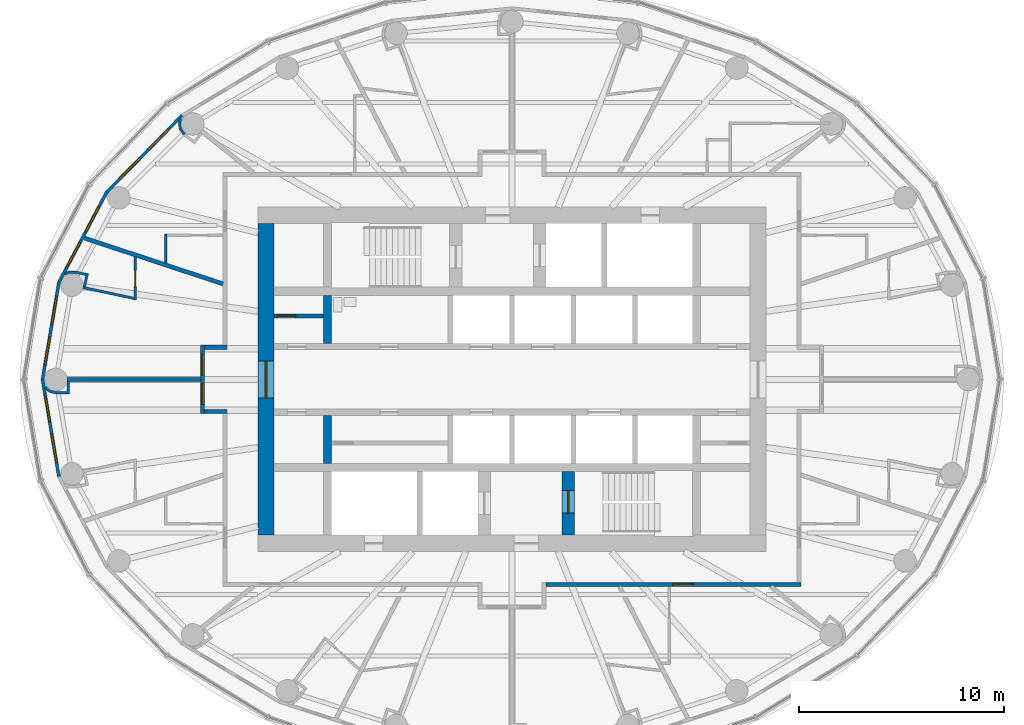
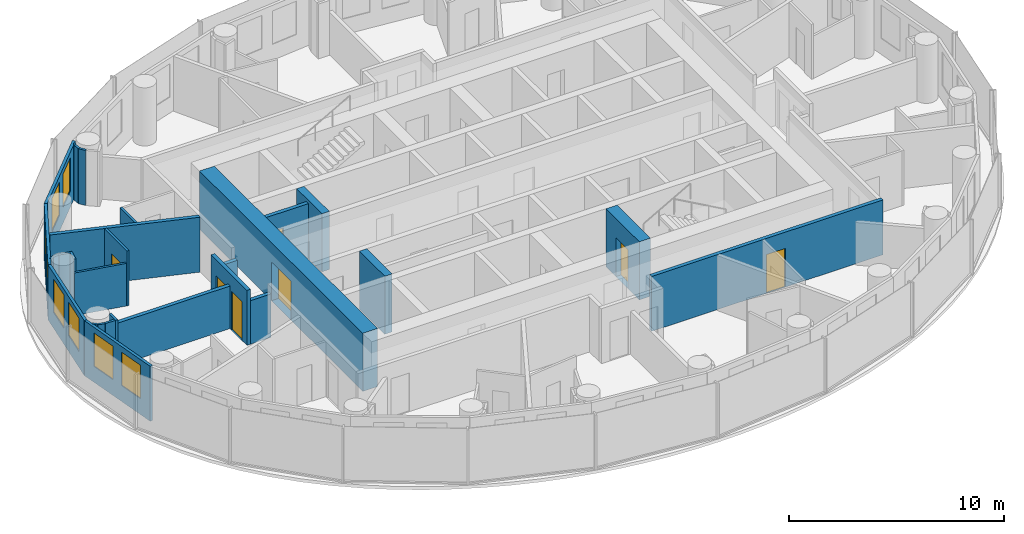
# One storey, part 8 of 16: 29 walls, 8 windows, 7 doors, 15 openings.
"""IFC4 building model written with IfcOpenShell, lengths in metres."""

from ifc_helpers import new_model, si_unit, direction, frame, frame_2d, origin, place, context, subcontext, project, spatial, rectangle, extrude, material, layer, layer_set, type_object, element, fill, save


model = new_model("IFC4")

# Units and contexts
model_context = context("Model", 3, precision=1e-05, world=origin(), true_north=direction((0.0, 1.0)))
body_context = subcontext(model_context, "Body", "Model", "MODEL_VIEW")
ifc_project = project(units=[si_unit("LENGTHUNIT", "METRE"), si_unit("AREAUNIT", "SQUARE_METRE"), si_unit("VOLUMEUNIT", "CUBIC_METRE"), si_unit("PLANEANGLEUNIT", "RADIAN"), si_unit("MASSUNIT", "GRAM", prefix="KILO")], contexts=[model_context])

# Site, building, storey
site_placement = place(None, origin())
site = spatial("IfcSite", under=ifc_project, at=site_placement, CompositionType="ELEMENT")
building_placement = place(site_placement, origin())
building = spatial("IfcBuilding", under=site, at=building_placement, Name="Hankou Lantern Tower", CompositionType="ELEMENT")
storey_placement = place(building_placement, frame((0.0, 0.0, 153.300048828125)))
storey = spatial("IfcBuildingStorey", under=building, at=storey_placement, Name="L40", CompositionType="ELEMENT", Elevation=153.300048828125)

# Wall, opening, door
ifc_material_1 = material(Name="Concrete C60", Category="concrete")
ifc_layer_1 = layer(ifc_material_1, 0.800048828125)
ifc_layer_set_1 = layer_set([ifc_layer_1], Name="Concrete C60")
wall_type_1 = type_object("IfcWallType", Name="CW2 CORE WALL 800", PredefinedType="SHEAR", material=ifc_layer_set_1)
wall_1_placement = place(storey_placement, frame((-12.0, 7.60009765625, 0.0), z_axis=(0.0, 0.0, 1.0), x_axis=(0.0, -1.0, 0.0)))
wall_1 = element("IfcWall", 1, at=wall_1_placement, inside=storey, type_object=wall_type_1, Name="Core wall west L40", PredefinedType="SHEAR", context=body_context, shape_type="SweptSolid", body=[
    extrude(rectangle(XDim=15.2001953125, YDim=0.800048828125, at=frame_2d((7.60009765625, 0.0))), origin(), (0.0, 0.0, 1.0), 3.300048828125),
])
opening_1_placement = place(wall_1_placement, frame((6.699951171875, 0.0, 0.0)))
opening_1 = element("IfcOpeningElement", 2, at=opening_1_placement, cuts=wall_1, Name="Opening D6", PredefinedType="OPENING", context=body_context, shape_type="SweptSolid", body=[
    extrude(rectangle(XDim=1.800048828125, YDim=2.199951171875, at=frame_2d((0.89990234375, 1.10009765625))), frame((0.0, 0.409912109375, 0.0), z_axis=(0.0, -1.0, 0.0), x_axis=(1.0, 0.0, 0.0)), (0.0, 0.0, 1.0), 0.820068359375),
])
ifc_material_2 = material(Name="Steel door leaf", Category="steel")
door_type_1 = type_object("IfcDoorType", Name="D6 LIFT LOBBY DOOR 1800X2200", OperationType="DOUBLE_DOOR_DOUBLE_SWING", PredefinedType="DOOR", material=ifc_material_2)
door_1_placement = place(opening_1_placement, origin())
door_1 = element("IfcDoor", 3, at=door_1_placement, inside=storey, type_object=door_type_1, Name="Lift lobby west door", OperationType="DOUBLE_DOOR_DOUBLE_SWING", OverallHeight=2.199951171875, OverallWidth=1.800048828125, PredefinedType="DOOR", context=body_context, shape_type="SweptSolid", body=[
    extrude(rectangle(XDim=1.800048828125, YDim=2.199951171875, at=frame_2d((0.89990234375, 1.10009765625))), frame((0.0, 0.02490234375, 0.0), z_axis=(0.0, -1.0, 0.0), x_axis=(1.0, 0.0, 0.0)), (0.0, 0.0, 1.0), 0.050048828125),
])
fill(opening_1, door_1)

# Walls
ifc_material_3 = material(Name="Concrete C60", Category="concrete")
ifc_layer_2 = layer(ifc_material_3, 0.39990234375)
ifc_layer_set_2 = layer_set([ifc_layer_2], Name="Concrete C60")
wall_type_2 = type_object("IfcWallType", Name="CW4 CORE CROSS WALL 400", PredefinedType="SHEAR", material=ifc_layer_set_2)
for number, where, z_axis, x_axis, name in (
    (4, (-9.0, 1.75, 0.0), (0.0, 0.0, 1.0), (0.0, 1.0, 0.0), "Core strip wall L40"),
    (5, (-9.0, -4.10009765625, 0.0), (0.0, 0.0, 1.0), (0.0, 1.0, 0.0), "Core strip wall L40"),
):
    element("IfcWall", number, at=place(storey_placement, frame(where, z_axis=z_axis, x_axis=x_axis)), inside=storey, type_object=wall_type_2, Name=name, PredefinedType="SHEAR", context=body_context, shape_type="SweptSolid", body=[
        extrude(rectangle(XDim=2.35009765625, YDim=0.39990234375, at=frame_2d((1.175048828125, 0.0))), origin(), (0.0, 0.0, 1.0), 3.300048828125),
    ])

# Wall, opening, door
ifc_material_4 = material(Name="Concrete C60", Category="concrete")
ifc_layer_3 = layer(ifc_material_4, 0.60009765625)
ifc_layer_set_3 = layer_set([ifc_layer_3], Name="Concrete C60")
wall_type_3 = type_object("IfcWallType", Name="CW6 STAIR AND SHAFT WALL 600", PredefinedType="SHEAR", material=ifc_layer_set_3)
wall_2_placement = place(storey_placement, frame((2.75, -7.60009765625, 0.0), z_axis=(0.0, 0.0, 1.0), x_axis=(0.0, 1.0, 0.0)))
wall_2 = element("IfcWall", 6, at=wall_2_placement, inside=storey, type_object=wall_type_3, Name="Stair wall L40", PredefinedType="SHEAR", context=body_context, shape_type="SweptSolid", body=[
    extrude(rectangle(XDim=3.10009765625, YDim=0.60009765625, at=frame_2d((1.550048828125, 0.0))), origin(), (0.0, 0.0, 1.0), 3.300048828125),
])
opening_2_placement = place(wall_2_placement, frame((1.074951171875, 0.0, 0.0)))
opening_2 = element("IfcOpeningElement", 7, at=opening_2_placement, cuts=wall_2, Name="Opening D4", PredefinedType="OPENING", context=body_context, shape_type="SweptSolid", body=[
    extrude(rectangle(XDim=1.10009765625, YDim=2.199951171875, at=frame_2d((0.550048828125, 1.10009765625))), frame((0.0, 0.31005859375, 0.0), z_axis=(0.0, -1.0, 0.0), x_axis=(1.0, 0.0, 0.0)), (0.0, 0.0, 1.0), 0.6201171875),
])
ifc_material_5 = material(Name="Steel door leaf", Category="steel")
door_type_2 = type_object("IfcDoorType", Name="D4 STAIR DOOR 1100X2200", OperationType="SINGLE_SWING_LEFT", PredefinedType="DOOR", material=ifc_material_5)
door_2_placement = place(opening_2_placement, origin())
door_2 = element("IfcDoor", 8, at=door_2_placement, inside=storey, type_object=door_type_2, Name="Stair B door", OperationType="SINGLE_SWING_RIGHT", OverallHeight=2.199951171875, OverallWidth=1.10009765625, PredefinedType="DOOR", context=body_context, shape_type="SweptSolid", body=[
    extrude(rectangle(XDim=1.10009765625, YDim=2.199951171875, at=frame_2d((0.550048828125, 1.10009765625))), frame((0.0, 0.02490234375, 0.0), z_axis=(0.0, -1.0, 0.0), x_axis=(1.0, 0.0, 0.0)), (0.0, 0.0, 1.0), 0.050048828125),
])
fill(opening_2, door_2)

# Wall, openings, windows
ifc_material_6 = material(Name="Aluminium spandrel panel on steel studs", Category="steel")
ifc_layer_4 = layer(ifc_material_6, 0.14990234375)
ifc_layer_set_4 = layer_set([ifc_layer_4], Name="Aluminium spandrel panel on steel studs")
wall_type_4 = type_object("IfcWallType", Name="EW1 INNER SKIN WALL 150", PredefinedType="ELEMENTEDWALL", material=ifc_layer_set_4)
wall_3_placement = place(storey_placement, frame((-16.0947265625, 12.875732421875, 0.0), z_axis=(0.0, 0.0, 1.0), x_axis=(-0.700727467776, -0.71342905457, 0.0)))
wall_3 = element("IfcWall", 9, at=wall_3_placement, inside=storey, type_object=wall_type_4, Name="Inner skin R10-R11 L40", PredefinedType="ELEMENTEDWALL", context=body_context, shape_type="SweptSolid", body=[
    extrude(rectangle(XDim=5.247314453125, YDim=0.14990234375, at=frame_2d((2.62353515625, 0.0))), origin(), (0.0, 0.0, 1.0), 3.119873046875),
])
opening_3_placement = place(wall_3_placement, frame((0.923583984375, 0.0, 0.89990234375)))
opening_3 = element("IfcOpeningElement", 10, at=opening_3_placement, cuts=wall_3, Name="Opening W3", PredefinedType="OPENING", context=body_context, shape_type="SweptSolid", body=[
    extrude(rectangle(XDim=1.39990234375, YDim=1.89990234375, at=frame_2d((0.699951171875, 0.949951171875))), frame((0.0, 0.0849609375, 0.0), z_axis=(0.0, -1.0, 0.0), x_axis=(1.0, 0.0, 0.0)), (0.0, 0.0, 1.0), 0.169921875),
])
opening_4_placement = place(wall_3_placement, frame((2.923583984375, 0.0, 0.89990234375)))
opening_4 = element("IfcOpeningElement", 11, at=opening_4_placement, cuts=wall_3, Name="Opening W3", PredefinedType="OPENING", context=body_context, shape_type="SweptSolid", body=[
    extrude(rectangle(XDim=1.39990234375, YDim=1.89990234375, at=frame_2d((0.699951171875, 0.949951171875))), frame((0.0, 0.0849609375, 0.0), z_axis=(0.0, -1.0, 0.0), x_axis=(1.0, 0.0, 0.0)), (0.0, 0.0, 1.0), 0.169921875),
])
ifc_material_7 = material(Name="Aluminium framed double glazed window", Category="aluminium")
window_type = type_object("IfcWindowType", Name="W3 GUEST ROOM WINDOW 1400X1900", PartitioningType="DOUBLE_PANEL_VERTICAL", PredefinedType="WINDOW", material=ifc_material_7)
window_1_placement = place(opening_3_placement, origin())
window_1 = element("IfcWindow", 12, at=window_1_placement, inside=storey, type_object=window_type, Name="Window R10.1 L40", OverallHeight=1.89990234375, OverallWidth=1.39990234375, PartitioningType="SINGLE_PANEL", PredefinedType="WINDOW", context=body_context, shape_type="SweptSolid", body=[
    extrude(rectangle(XDim=1.39990234375, YDim=1.89990234375, at=frame_2d((0.699951171875, 0.949951171875))), frame((0.0, 0.030029296875, 0.0), z_axis=(0.0, -1.0, 0.0), x_axis=(1.0, 0.0, 0.0)), (0.0, 0.0, 1.0), 0.06005859375),
])
fill(opening_3, window_1)
window_2_placement = place(opening_4_placement, origin())
window_2 = element("IfcWindow", 13, at=window_2_placement, inside=storey, type_object=window_type, Name="Window R10.2 L40", OverallHeight=1.89990234375, OverallWidth=1.39990234375, PartitioningType="SINGLE_PANEL", PredefinedType="WINDOW", context=body_context, shape_type="SweptSolid", body=[
    extrude(rectangle(XDim=1.39990234375, YDim=1.89990234375, at=frame_2d((0.699951171875, 0.949951171875))), frame((0.0, 0.030029296875, 0.0), z_axis=(0.0, -1.0, 0.0), x_axis=(1.0, 0.0, 0.0)), (0.0, 0.0, 1.0), 0.06005859375),
])
fill(opening_4, window_2)

wall_4_placement = place(storey_placement, frame((-19.771728515625, 9.132080078125, 0.0), z_axis=(0.0, 0.0, 1.0), x_axis=(-0.468428906714, -0.883501193748, 0.0)))
wall_4 = element("IfcWall", 14, at=wall_4_placement, inside=storey, type_object=wall_type_4, Name="Inner skin R11-R12 L40", PredefinedType="ELEMENTEDWALL", context=body_context, shape_type="SweptSolid", body=[
    extrude(rectangle(XDim=4.9736328125, YDim=0.14990234375, at=frame_2d((2.48681640625, 0.0))), origin(), (0.0, 0.0, 1.0), 3.119873046875),
])
opening_5_placement = place(wall_4_placement, frame((0.786865234375, 0.0, 0.89990234375)))
opening_5 = element("IfcOpeningElement", 15, at=opening_5_placement, cuts=wall_4, Name="Opening W3", PredefinedType="OPENING", context=body_context, shape_type="SweptSolid", body=[
    extrude(rectangle(XDim=1.39990234375, YDim=1.89990234375, at=frame_2d((0.699951171875, 0.949951171875))), frame((0.0, 0.0849609375, 0.0), z_axis=(0.0, -1.0, 0.0), x_axis=(1.0, 0.0, 0.0)), (0.0, 0.0, 1.0), 0.169921875),
])
opening_6_placement = place(wall_4_placement, frame((2.786865234375, 0.0, 0.89990234375)))
opening_6 = element("IfcOpeningElement", 16, at=opening_6_placement, cuts=wall_4, Name="Opening W3", PredefinedType="OPENING", context=body_context, shape_type="SweptSolid", body=[
    extrude(rectangle(XDim=1.39990234375, YDim=1.89990234375, at=frame_2d((0.699951171875, 0.949951171875))), frame((0.0, 0.0849609375, 0.0), z_axis=(0.0, -1.0, 0.0), x_axis=(1.0, 0.0, 0.0)), (0.0, 0.0, 1.0), 0.169921875),
])
window_3_placement = place(opening_5_placement, origin())
window_3 = element("IfcWindow", 17, at=window_3_placement, inside=storey, type_object=window_type, Name="Window R11.1 L40", OverallHeight=1.89990234375, OverallWidth=1.39990234375, PartitioningType="SINGLE_PANEL", PredefinedType="WINDOW", context=body_context, shape_type="SweptSolid", body=[
    extrude(rectangle(XDim=1.39990234375, YDim=1.89990234375, at=frame_2d((0.699951171875, 0.949951171875))), frame((0.0, 0.030029296875, 0.0), z_axis=(0.0, -1.0, 0.0), x_axis=(1.0, 0.0, 0.0)), (0.0, 0.0, 1.0), 0.06005859375),
])
fill(opening_5, window_3)
window_4_placement = place(opening_6_placement, origin())
window_4 = element("IfcWindow", 18, at=window_4_placement, inside=storey, type_object=window_type, Name="Window R11.2 L40", OverallHeight=1.89990234375, OverallWidth=1.39990234375, PartitioningType="SINGLE_PANEL", PredefinedType="WINDOW", context=body_context, shape_type="SweptSolid", body=[
    extrude(rectangle(XDim=1.39990234375, YDim=1.89990234375, at=frame_2d((0.699951171875, 0.949951171875))), frame((0.0, 0.030029296875, 0.0), z_axis=(0.0, -1.0, 0.0), x_axis=(1.0, 0.0, 0.0)), (0.0, 0.0, 1.0), 0.06005859375),
])
fill(opening_6, window_4)

wall_5_placement = place(storey_placement, frame((-22.1015625, 4.73779296875, 0.0), z_axis=(0.0, 0.0, 1.0), x_axis=(-0.166162111254, -0.986098449843, 0.0)))
wall_5 = element("IfcWall", 19, at=wall_5_placement, inside=storey, type_object=wall_type_4, Name="Inner skin R12-R13 L40", PredefinedType="ELEMENTEDWALL", context=body_context, shape_type="SweptSolid", body=[
    extrude(rectangle(XDim=4.8046875, YDim=0.14990234375, at=frame_2d((2.40234375, 0.0))), origin(), (0.0, 0.0, 1.0), 3.119873046875),
])
opening_7_placement = place(wall_5_placement, frame((0.7021484375, 0.0, 0.89990234375)))
opening_7 = element("IfcOpeningElement", 20, at=opening_7_placement, cuts=wall_5, Name="Opening W3", PredefinedType="OPENING", context=body_context, shape_type="SweptSolid", body=[
    extrude(rectangle(XDim=1.39990234375, YDim=1.89990234375, at=frame_2d((0.699951171875, 0.949951171875))), frame((0.0, 0.0849609375, 0.0), z_axis=(0.0, -1.0, 0.0), x_axis=(1.0, 0.0, 0.0)), (0.0, 0.0, 1.0), 0.169921875),
])
opening_8_placement = place(wall_5_placement, frame((2.7021484375, 0.0, 0.89990234375)))
opening_8 = element("IfcOpeningElement", 21, at=opening_8_placement, cuts=wall_5, Name="Opening W3", PredefinedType="OPENING", context=body_context, shape_type="SweptSolid", body=[
    extrude(rectangle(XDim=1.39990234375, YDim=1.89990234375, at=frame_2d((0.699951171875, 0.949951171875))), frame((0.0, 0.0849609375, 0.0), z_axis=(0.0, -1.0, 0.0), x_axis=(1.0, 0.0, 0.0)), (0.0, 0.0, 1.0), 0.169921875),
])
window_5_placement = place(opening_7_placement, origin())
window_5 = element("IfcWindow", 22, at=window_5_placement, inside=storey, type_object=window_type, Name="Window R12.1 L40", OverallHeight=1.89990234375, OverallWidth=1.39990234375, PartitioningType="SINGLE_PANEL", PredefinedType="WINDOW", context=body_context, shape_type="SweptSolid", body=[
    extrude(rectangle(XDim=1.39990234375, YDim=1.89990234375, at=frame_2d((0.699951171875, 0.949951171875))), frame((0.0, 0.030029296875, 0.0), z_axis=(0.0, -1.0, 0.0), x_axis=(1.0, 0.0, 0.0)), (0.0, 0.0, 1.0), 0.06005859375),
])
fill(opening_7, window_5)
window_6_placement = place(opening_8_placement, origin())
window_6 = element("IfcWindow", 23, at=window_6_placement, inside=storey, type_object=window_type, Name="Window R12.2 L40", OverallHeight=1.89990234375, OverallWidth=1.39990234375, PartitioningType="SINGLE_PANEL", PredefinedType="WINDOW", context=body_context, shape_type="SweptSolid", body=[
    extrude(rectangle(XDim=1.39990234375, YDim=1.89990234375, at=frame_2d((0.699951171875, 0.949951171875))), frame((0.0, 0.030029296875, 0.0), z_axis=(0.0, -1.0, 0.0), x_axis=(1.0, 0.0, 0.0)), (0.0, 0.0, 1.0), 0.06005859375),
])
fill(opening_8, window_6)

wall_6_placement = place(storey_placement, frame((-22.89990234375, 0.0, 0.0), z_axis=(0.0, 0.0, 1.0), x_axis=(0.166162111254, -0.986098449843, 0.0)))
wall_6 = element("IfcWall", 24, at=wall_6_placement, inside=storey, type_object=wall_type_4, Name="Inner skin R13-R14 L40", PredefinedType="ELEMENTEDWALL", context=body_context, shape_type="SweptSolid", body=[
    extrude(rectangle(XDim=4.8046875, YDim=0.14990234375, at=frame_2d((2.40234375, 0.0))), origin(), (0.0, 0.0, 1.0), 3.119873046875),
])
opening_9_placement = place(wall_6_placement, frame((0.7021484375, 0.0, 0.89990234375)))
opening_9 = element("IfcOpeningElement", 25, at=opening_9_placement, cuts=wall_6, Name="Opening W3", PredefinedType="OPENING", context=body_context, shape_type="SweptSolid", body=[
    extrude(rectangle(XDim=1.39990234375, YDim=1.89990234375, at=frame_2d((0.699951171875, 0.949951171875))), frame((0.0, 0.0849609375, 0.0), z_axis=(0.0, -1.0, 0.0), x_axis=(1.0, 0.0, 0.0)), (0.0, 0.0, 1.0), 0.169921875),
])
opening_10_placement = place(wall_6_placement, frame((2.7021484375, 0.0, 0.89990234375)))
opening_10 = element("IfcOpeningElement", 26, at=opening_10_placement, cuts=wall_6, Name="Opening W3", PredefinedType="OPENING", context=body_context, shape_type="SweptSolid", body=[
    extrude(rectangle(XDim=1.39990234375, YDim=1.89990234375, at=frame_2d((0.699951171875, 0.949951171875))), frame((0.0, 0.0849609375, 0.0), z_axis=(0.0, -1.0, 0.0), x_axis=(1.0, 0.0, 0.0)), (0.0, 0.0, 1.0), 0.169921875),
])
window_7_placement = place(opening_9_placement, origin())
window_7 = element("IfcWindow", 27, at=window_7_placement, inside=storey, type_object=window_type, Name="Window R13.1 L40", OverallHeight=1.89990234375, OverallWidth=1.39990234375, PartitioningType="SINGLE_PANEL", PredefinedType="WINDOW", context=body_context, shape_type="SweptSolid", body=[
    extrude(rectangle(XDim=1.39990234375, YDim=1.89990234375, at=frame_2d((0.699951171875, 0.949951171875))), frame((0.0, 0.030029296875, 0.0), z_axis=(0.0, -1.0, 0.0), x_axis=(1.0, 0.0, 0.0)), (0.0, 0.0, 1.0), 0.06005859375),
])
fill(opening_9, window_7)
window_8_placement = place(opening_10_placement, origin())
window_8 = element("IfcWindow", 28, at=window_8_placement, inside=storey, type_object=window_type, Name="Window R13.2 L40", OverallHeight=1.89990234375, OverallWidth=1.39990234375, PartitioningType="SINGLE_PANEL", PredefinedType="WINDOW", context=body_context, shape_type="SweptSolid", body=[
    extrude(rectangle(XDim=1.39990234375, YDim=1.89990234375, at=frame_2d((0.699951171875, 0.949951171875))), frame((0.0, 0.030029296875, 0.0), z_axis=(0.0, -1.0, 0.0), x_axis=(1.0, 0.0, 0.0)), (0.0, 0.0, 1.0), 0.06005859375),
])
fill(opening_10, window_8)

# Walls
ifc_material_8 = material(Name="Masonry lightweight concrete block", Category="masonry")
ifc_layer_5 = layer(ifc_material_8, 0.199951171875)
ifc_layer_set_5 = layer_set([ifc_layer_5], Name="Masonry lightweight concrete block")
wall_type_5 = type_object("IfcWallType", Name="IW1 GUEST ROOM PARTY WALL 200", PredefinedType="PARTITIONING", material=ifc_layer_set_5)
wall_7_placement = place(storey_placement, frame((-14.10009765625, 4.661376953125, 0.0), z_axis=(0.0, 0.0, 1.0), x_axis=(-0.949453216399, 0.313908569285, 0.0)))
element("IfcWall", 29, at=wall_7_placement, inside=storey, type_object=wall_type_5, Name="Party wall R11-R12", PredefinedType="PARTITIONING", context=body_context, shape_type="SweptSolid", body=[
    extrude(rectangle(XDim=7.108642578125, YDim=0.199951171875, at=frame_2d((3.55419921875, 0.0))), origin(), (0.0, 0.0, 1.0), 3.119873046875),
])
wall_8_placement = place(storey_placement, frame((-15.199951171875, 0.0, 0.0), z_axis=(0.0, 0.0, 1.0), x_axis=(-1.0, 0.0, 0.0)))
element("IfcWall", 30, at=wall_8_placement, inside=storey, type_object=wall_type_5, Name="Party wall R13", PredefinedType="PARTITIONING", context=body_context, shape_type="SweptSolid", body=[
    extrude(rectangle(XDim=6.5, YDim=0.199951171875, at=frame_2d((3.25, 0.0))), origin(), (0.0, 0.0, 1.0), 2.419921875),
])

# Wall, openings, doors
ifc_material_9 = material(Name="Masonry lightweight concrete block", Category="masonry")
ifc_layer_6 = layer(ifc_material_9, 0.199951171875)
ifc_layer_set_6 = layer_set([ifc_layer_6], Name="Masonry lightweight concrete block")
wall_type_6 = type_object("IfcWallType", Name="IW2 CORRIDOR WALL 200", PredefinedType="PARTITIONING", material=ifc_layer_set_6)
wall_9_placement = place(storey_placement, frame((-15.10009765625, 1.669921875, 0.0), z_axis=(0.0, 0.0, 1.0), x_axis=(0.0, -1.0, 0.0)))
wall_9 = element("IfcWall", 31, at=wall_9_placement, inside=storey, type_object=wall_type_6, Name="Corridor alcove wall 4007-4008 back", PredefinedType="PARTITIONING", context=body_context, shape_type="SweptSolid", body=[
    extrude(rectangle(XDim=3.33984375, YDim=0.199951171875, at=frame_2d((1.669921875, 0.0))), origin(), (0.0, 0.0, 1.0), 3.119873046875),
])
opening_11_placement = place(wall_9_placement, frame((0.449951171875, 0.0, 0.0)))
opening_11 = element("IfcOpeningElement", 32, at=opening_11_placement, cuts=wall_9, Name="Opening D1", PredefinedType="OPENING", context=body_context, shape_type="SweptSolid", body=[
    extrude(rectangle(XDim=1.0, YDim=2.199951171875, at=frame_2d((0.5, 1.10009765625))), frame((0.0, 0.10986328125, 0.0), z_axis=(0.0, -1.0, 0.0), x_axis=(1.0, 0.0, 0.0)), (0.0, 0.0, 1.0), 0.219970703125),
])
opening_12_placement = place(wall_9_placement, frame((1.889892578125, 0.0, 0.0)))
opening_12 = element("IfcOpeningElement", 33, at=opening_12_placement, cuts=wall_9, Name="Opening D1", PredefinedType="OPENING", context=body_context, shape_type="SweptSolid", body=[
    extrude(rectangle(XDim=1.0, YDim=2.199951171875, at=frame_2d((0.5, 1.10009765625))), frame((0.0, 0.10986328125, 0.0), z_axis=(0.0, -1.0, 0.0), x_axis=(1.0, 0.0, 0.0)), (0.0, 0.0, 1.0), 0.219970703125),
])
ifc_material_10 = material(Name="Steel door leaf", Category="steel")
door_type_3 = type_object("IfcDoorType", Name="D1 GUEST ROOM DOOR 1000X2200", OperationType="SINGLE_SWING_LEFT", PredefinedType="DOOR", material=ifc_material_10)
door_3_placement = place(opening_11_placement, origin())
door_3 = element("IfcDoor", 34, at=door_3_placement, inside=storey, type_object=door_type_3, Name="Guest room door 4007", OperationType="SINGLE_SWING_LEFT", OverallHeight=2.199951171875, OverallWidth=1.0, PredefinedType="DOOR", context=body_context, shape_type="SweptSolid", body=[
    extrude(rectangle(XDim=1.0, YDim=2.199951171875, at=frame_2d((0.5, 1.10009765625))), frame((0.0, 0.02490234375, 0.0), z_axis=(0.0, -1.0, 0.0), x_axis=(1.0, 0.0, 0.0)), (0.0, 0.0, 1.0), 0.050048828125),
])
fill(opening_11, door_3)
door_4_placement = place(opening_12_placement, origin())
door_4 = element("IfcDoor", 35, at=door_4_placement, inside=storey, type_object=door_type_3, Name="Guest room door 4008", OperationType="SINGLE_SWING_RIGHT", OverallHeight=2.199951171875, OverallWidth=1.0, PredefinedType="DOOR", context=body_context, shape_type="SweptSolid", body=[
    extrude(rectangle(XDim=1.0, YDim=2.199951171875, at=frame_2d((0.5, 1.10009765625))), frame((0.0, 0.02490234375, 0.0), z_axis=(0.0, -1.0, 0.0), x_axis=(1.0, 0.0, 0.0)), (0.0, 0.0, 1.0), 0.050048828125),
])
fill(opening_12, door_4)

# Walls
for number, where, z_axis, x_axis, name in (
    (36, (-13.89990234375, 1.570068359375, 0.0), (0.0, 0.0, 1.0), (-1.0, 0.0, 0.0), "Corridor alcove wall 4007-4008 left"),
    (37, (-13.89990234375, -1.570068359375, 0.0), (0.0, 0.0, 1.0), (-1.0, 0.0, 0.0), "Corridor alcove wall 4007-4008 right"),
):
    element("IfcWall", number, at=place(storey_placement, frame(where, z_axis=z_axis, x_axis=x_axis)), inside=storey, type_object=wall_type_6, Name=name, PredefinedType="PARTITIONING", context=body_context, shape_type="SweptSolid", body=[
        extrude(rectangle(XDim=1.10009765625, YDim=0.199951171875, at=frame_2d((0.550048828125, 0.0))), origin(), (0.0, 0.0, 1.0), 2.469970703125),
    ])

# Wall, opening, door
wall_10_placement = place(storey_placement, frame((14.10009765625, -10.0, 0.0), z_axis=(0.0, 0.0, 1.0), x_axis=(-1.0, 0.0, 0.0)))
wall_10 = element("IfcWall", 38, at=wall_10_placement, inside=storey, type_object=wall_type_6, Name="Corridor wall south", PredefinedType="PARTITIONING", context=body_context, shape_type="SweptSolid", body=[
    extrude(rectangle(XDim=12.43017578125, YDim=0.199951171875, at=frame_2d((6.215087890625, 0.0))), origin(), (0.0, 0.0, 1.0), 3.119873046875),
])
opening_13_placement = place(wall_10_placement, frame((5.25, 0.0, 0.0)))
opening_13 = element("IfcOpeningElement", 39, at=opening_13_placement, cuts=wall_10, Name="Opening D1", PredefinedType="OPENING", context=body_context, shape_type="SweptSolid", body=[
    extrude(rectangle(XDim=1.0, YDim=2.199951171875, at=frame_2d((0.5, 1.10009765625))), frame((0.0, 0.10986328125, 0.0), z_axis=(0.0, -1.0, 0.0), x_axis=(1.0, 0.0, 0.0)), (0.0, 0.0, 1.0), 0.219970703125),
])
door_5_placement = place(opening_13_placement, origin())
door_5 = element("IfcDoor", 40, at=door_5_placement, inside=storey, type_object=door_type_3, Name="Guest room door 4013", OperationType="SINGLE_SWING_RIGHT", OverallHeight=2.199951171875, OverallWidth=1.0, PredefinedType="DOOR", context=body_context, shape_type="SweptSolid", body=[
    extrude(rectangle(XDim=1.0, YDim=2.199951171875, at=frame_2d((0.5, 1.10009765625))), frame((0.0, 0.02490234375, 0.0), z_axis=(0.0, -1.0, 0.0), x_axis=(1.0, 0.0, 0.0)), (0.0, 0.0, 1.0), 0.050048828125),
])
fill(opening_13, door_5)

# Wall
ifc_material_11 = material(Name="Masonry lightweight concrete block", Category="masonry")
ifc_layer_7 = layer(ifc_material_11, 0.1201171875)
ifc_layer_set_7 = layer_set([ifc_layer_7], Name="Masonry lightweight concrete block")
wall_type_7 = type_object("IfcWallType", Name="IW3 BATHROOM WALL 120", PredefinedType="PARTITIONING", material=ifc_layer_set_7)
wall_11_placement = place(storey_placement, frame((-16.89990234375, 5.687255859375, 0.0), z_axis=(0.0, 0.0, 1.0), x_axis=(0.0, 1.0, 0.0)))
element("IfcWall", 41, at=wall_11_placement, inside=storey, type_object=wall_type_7, Name="Box wall 4006 1", PredefinedType="PARTITIONING", context=body_context, shape_type="SweptSolid", body=[
    extrude(rectangle(XDim=1.414306640625, YDim=0.1201171875, at=frame_2d((0.70703125, 0.0))), origin(), (0.0, 0.0, 1.0), 3.119873046875),
])

# Wall, opening, door
wall_12_placement = place(storey_placement, frame((-18.380859375, 5.971435546875, 0.0), z_axis=(0.0, 0.0, 1.0), x_axis=(-0.000934142516, -0.999999563689, 0.0)))
wall_12 = element("IfcWall", 42, at=wall_12_placement, inside=storey, type_object=wall_type_7, Name="Box wall 4007 1", PredefinedType="PARTITIONING", context=body_context, shape_type="SweptSolid", body=[
    extrude(rectangle(XDim=2.0908203125, YDim=0.1201171875, at=frame_2d((1.04541015625, 0.0))), origin(), (0.0, 0.0, 1.0), 3.119873046875),
])
opening_14_placement = place(wall_12_placement, frame((0.6455078125, 0.0, 0.0)))
opening_14 = element("IfcOpeningElement", 43, at=opening_14_placement, cuts=wall_12, Name="Opening D3", PredefinedType="OPENING", context=body_context, shape_type="SweptSolid", body=[
    extrude(rectangle(XDim=0.800048828125, YDim=2.10009765625, at=frame_2d((0.39990234375, 1.050048828125))), frame((0.0, 0.070068359375, 0.0), z_axis=(0.0, -1.0, 0.0), x_axis=(1.0, 0.0, 0.0)), (0.0, 0.0, 1.0), 0.14013671875),
])
ifc_material_12 = material(Name="Timber door leaf", Category="wood")
door_type_4 = type_object("IfcDoorType", Name="D3 BATHROOM DOOR 800X2100", OperationType="SINGLE_SWING_LEFT", PredefinedType="DOOR", material=ifc_material_12)
door_6_placement = place(opening_14_placement, origin())
door_6 = element("IfcDoor", 44, at=door_6_placement, inside=storey, type_object=door_type_4, Name="En-suite bathroom 4007 door", OperationType="SINGLE_SWING_LEFT", OverallHeight=2.10009765625, OverallWidth=0.800048828125, PredefinedType="DOOR", context=body_context, shape_type="SweptSolid", body=[
    extrude(rectangle(XDim=0.800048828125, YDim=2.10009765625, at=frame_2d((0.39990234375, 1.050048828125))), frame((0.0, 0.02490234375, 0.0), z_axis=(0.0, -1.0, 0.0), x_axis=(1.0, 0.0, 0.0)), (0.0, 0.0, 1.0), 0.050048828125),
])
fill(opening_14, door_6)

# Walls
wall_13_placement = place(storey_placement, frame((-18.44140625, 3.953125, 0.0), z_axis=(0.0, 0.0, 1.0), x_axis=(-0.977801007461, 0.209535652833, 0.0)))
element("IfcWall", 45, at=wall_13_placement, inside=storey, type_object=wall_type_7, Name="Box wall 4007 2", PredefinedType="PARTITIONING", context=body_context, shape_type="SweptSolid", body=[
    extrude(rectangle(XDim=2.5400390625, YDim=0.1201171875, at=frame_2d((1.27001953125, 0.0))), origin(), (0.0, 0.0, 1.0), 2.419921875),
])
wall_14_placement = place(storey_placement, frame((-20.853759765625, 4.531494140625, 0.0), z_axis=(0.0, 0.0, 1.0), x_axis=(0.209631346779, 0.977780496046, 0.0)))
element("IfcWall", 46, at=wall_14_placement, inside=storey, type_object=wall_type_7, Name="Column casing 4007 return", PredefinedType="PARTITIONING", context=body_context, shape_type="SweptSolid", body=[
    extrude(rectangle(XDim=0.652099609375, YDim=0.1201171875, at=frame_2d((0.326171875, 0.0))), origin(), (0.0, 0.0, 1.0), 3.119873046875),
])
wall_15_placement = place(storey_placement, frame((-20.788330078125, 5.123291015625, 0.0), z_axis=(0.0, 0.0, 1.0), x_axis=(-0.977789415726, 0.209589738521, 0.0)))
element("IfcWall", 47, at=wall_15_placement, inside=storey, type_object=wall_type_7, Name="Column casing 4007", PredefinedType="PARTITIONING", context=body_context, shape_type="SweptSolid", body=[
    extrude(rectangle(XDim=0.5498046875, YDim=0.1201171875, at=frame_2d((0.27490234375, 0.0))), origin(), (0.0, 0.0, 1.0), 3.119873046875),
])
wall_16_placement = place(storey_placement, frame((-21.325927734375, 5.238525390625, 0.0), z_axis=(0.0, 0.0, 1.0), x_axis=(-0.998719689441, -0.050586380797, 0.0)))
element("IfcWall", 48, at=wall_16_placement, inside=storey, type_object=wall_type_7, Name="Column casing 4007", PredefinedType="PARTITIONING", context=body_context, shape_type="SweptSolid", body=[
    extrude(rectangle(XDim=0.337890625, YDim=0.1201171875, at=frame_2d((0.1689453125, 0.0))), origin(), (0.0, 0.0, 1.0), 3.119873046875),
])
wall_17_placement = place(storey_placement, frame((-21.663330078125, 5.221435546875, 0.0), z_axis=(0.0, 0.0, 1.0), x_axis=(-0.839279022252, -0.543700949795, 0.0)))
element("IfcWall", 49, at=wall_17_placement, inside=storey, type_object=wall_type_7, Name="Column casing 4007", PredefinedType="PARTITIONING", context=body_context, shape_type="SweptSolid", body=[
    extrude(rectangle(XDim=0.18017578125, YDim=0.1201171875, at=frame_2d((0.090087890625, 0.0))), origin(), (0.0, 0.0, 1.0), 3.119873046875),
])
ifc_material_13 = material(Name="Masonry lightweight concrete block", Category="masonry")
ifc_layer_8 = layer(ifc_material_13, 0.1201171875)
ifc_layer_set_8 = layer_set([ifc_layer_8], Name="Masonry lightweight concrete block")
wall_type_8 = type_object("IfcWallType", Name="IW4 PARTITION 120", PredefinedType="PARTITIONING", material=ifc_layer_set_8)
wall_18_placement = place(storey_placement, frame((-15.983642578125, 11.95166015625, 0.0), z_axis=(0.0, 0.0, 1.0), x_axis=(-0.592335221171, 0.805691619517, 0.0)))
element("IfcWall", 50, at=wall_18_placement, inside=storey, type_object=wall_type_8, Name="Column casing R10", PredefinedType="PARTITIONING", context=body_context, shape_type="SweptSolid", body=[
    extrude(rectangle(XDim=0.337646484375, YDim=0.1201171875, at=frame_2d((0.1689453125, 0.0))), origin(), (0.0, 0.0, 1.0), 3.119873046875),
])
wall_19_placement = place(storey_placement, frame((-16.18359375, 12.2236328125, 0.0), z_axis=(0.0, 0.0, 1.0), x_axis=(-0.110669692975, 0.993857242795, 0.0)))
element("IfcWall", 51, at=wall_19_placement, inside=storey, type_object=wall_type_8, Name="Column casing R10", PredefinedType="PARTITIONING", context=body_context, shape_type="SweptSolid", body=[
    extrude(rectangle(XDim=0.33740234375, YDim=0.1201171875, at=frame_2d((0.168701171875, 0.0))), origin(), (0.0, 0.0, 1.0), 3.119873046875),
])
wall_20_placement = place(storey_placement, frame((-16.220947265625, 12.55908203125, 0.0), z_axis=(0.0, 0.0, 1.0), x_axis=(0.401064416249, 0.916049853457, 0.0)))
element("IfcWall", 52, at=wall_20_placement, inside=storey, type_object=wall_type_8, Name="Column casing R10", PredefinedType="PARTITIONING", context=body_context, shape_type="SweptSolid", body=[
    extrude(rectangle(XDim=0.156494140625, YDim=0.1201171875, at=frame_2d((0.078125, 0.0))), origin(), (0.0, 0.0, 1.0), 3.119873046875),
])
wall_21_placement = place(storey_placement, frame((-21.639892578125, -0.10009765625, 0.0), z_axis=(0.0, 0.0, 1.0), x_axis=(0.0, -1.0, 0.0)))
element("IfcWall", 53, at=wall_21_placement, inside=storey, type_object=wall_type_8, Name="Column casing R13 return", PredefinedType="PARTITIONING", context=body_context, shape_type="SweptSolid", body=[
    extrude(rectangle(XDim=0.612060546875, YDim=0.1201171875, at=frame_2d((0.30615234375, 0.0))), origin(), (0.0, 0.0, 1.0), 3.119873046875),
])
wall_22_placement = place(storey_placement, frame((-21.699951171875, -0.65234375, 0.0), z_axis=(0.0, 0.0, 1.0), x_axis=(-1.0, 0.0, 0.0)))
element("IfcWall", 54, at=wall_22_placement, inside=storey, type_object=wall_type_8, Name="Column casing R13", PredefinedType="PARTITIONING", context=body_context, shape_type="SweptSolid", body=[
    extrude(rectangle(XDim=0.550048828125, YDim=0.1201171875, at=frame_2d((0.27490234375, 0.0))), origin(), (0.0, 0.0, 1.0), 3.119873046875),
])
wall_23_placement = place(storey_placement, frame((-22.25, -0.65234375, 0.0), z_axis=(0.0, 0.0, 1.0), x_axis=(-0.965922233104, 0.258832454679, 0.0)))
element("IfcWall", 55, at=wall_23_placement, inside=storey, type_object=wall_type_8, Name="Column casing R13", PredefinedType="PARTITIONING", context=body_context, shape_type="SweptSolid", body=[
    extrude(rectangle(XDim=0.337646484375, YDim=0.1201171875, at=frame_2d((0.1689453125, 0.0))), origin(), (0.0, 0.0, 1.0), 3.119873046875),
])
wall_24_placement = place(storey_placement, frame((-22.576171875, -0.56494140625, 0.0), z_axis=(0.0, 0.0, 1.0), x_axis=(-0.706639272724, 0.707573980757, 0.0)))
element("IfcWall", 56, at=wall_24_placement, inside=storey, type_object=wall_type_8, Name="Column casing R13", PredefinedType="PARTITIONING", context=body_context, shape_type="SweptSolid", body=[
    extrude(rectangle(XDim=0.26123046875, YDim=0.1201171875, at=frame_2d((0.130615234375, 0.0))), origin(), (0.0, 0.0, 1.0), 3.119873046875),
])

# Wall, opening, door
ifc_material_14 = material(Name="Masonry lightweight concrete block", Category="masonry")
ifc_layer_9 = layer(ifc_material_14, 0.199951171875)
ifc_layer_set_9 = layer_set([ifc_layer_9], Name="Masonry lightweight concrete block")
wall_type_9 = type_object("IfcWallType", Name="IW8 PARTITION 200", PredefinedType="PARTITIONING", material=ifc_layer_set_9)
wall_25_placement = place(storey_placement, frame((-11.60009765625, 3.10009765625, 0.0), z_axis=(0.0, 0.0, 1.0), x_axis=(1.0, 0.0, 0.0)))
wall_25 = element("IfcWall", 57, at=wall_25_placement, inside=storey, type_object=wall_type_9, Name="Partition guest pantry and ice room", PredefinedType="PARTITIONING", context=body_context, shape_type="SweptSolid", body=[
    extrude(rectangle(XDim=2.400146484375, YDim=0.199951171875, at=frame_2d((1.2001953125, 0.0))), origin(), (0.0, 0.0, 1.0), 3.119873046875),
])
opening_15_placement = place(wall_25_placement, frame((0.14990234375, 0.0, 0.0)))
opening_15 = element("IfcOpeningElement", 58, at=opening_15_placement, cuts=wall_25, Name="Opening D12", PredefinedType="OPENING", context=body_context, shape_type="SweptSolid", body=[
    extrude(rectangle(XDim=0.89990234375, YDim=2.199951171875, at=frame_2d((0.449951171875, 1.10009765625))), frame((0.0, 0.10986328125, 0.0), z_axis=(0.0, -1.0, 0.0), x_axis=(1.0, 0.0, 0.0)), (0.0, 0.0, 1.0), 0.219970703125),
])
ifc_material_15 = material(Name="Steel door leaf", Category="steel")
door_type_5 = type_object("IfcDoorType", Name="D12 STORE DOOR 900X2200", OperationType="SINGLE_SWING_LEFT", PredefinedType="DOOR", material=ifc_material_15)
door_7_placement = place(opening_15_placement, origin())
door_7 = element("IfcDoor", 59, at=door_7_placement, inside=storey, type_object=door_type_5, Name="Ice machine cupboard door", OperationType="SINGLE_SWING_LEFT", OverallHeight=2.199951171875, OverallWidth=0.89990234375, PredefinedType="DOOR", context=body_context, shape_type="SweptSolid", body=[
    extrude(rectangle(XDim=0.89990234375, YDim=2.199951171875, at=frame_2d((0.449951171875, 1.10009765625))), frame((0.0, 0.02490234375, 0.0), z_axis=(0.0, -1.0, 0.0), x_axis=(1.0, 0.0, 0.0)), (0.0, 0.0, 1.0), 0.050048828125),
])
fill(opening_15, door_7)

save(model, "model.ifc")
